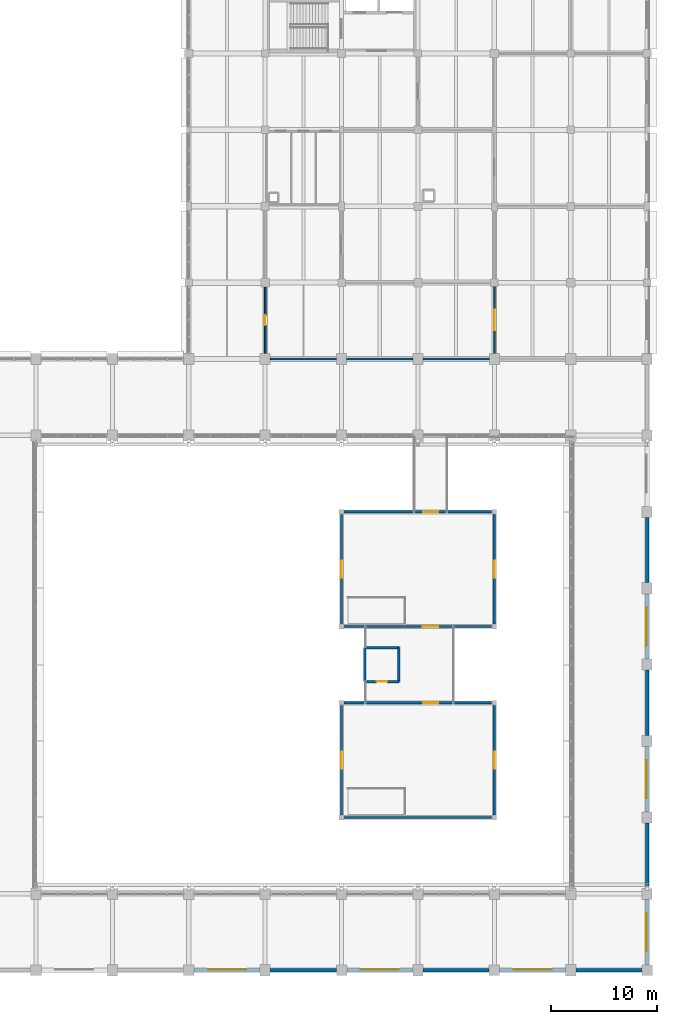
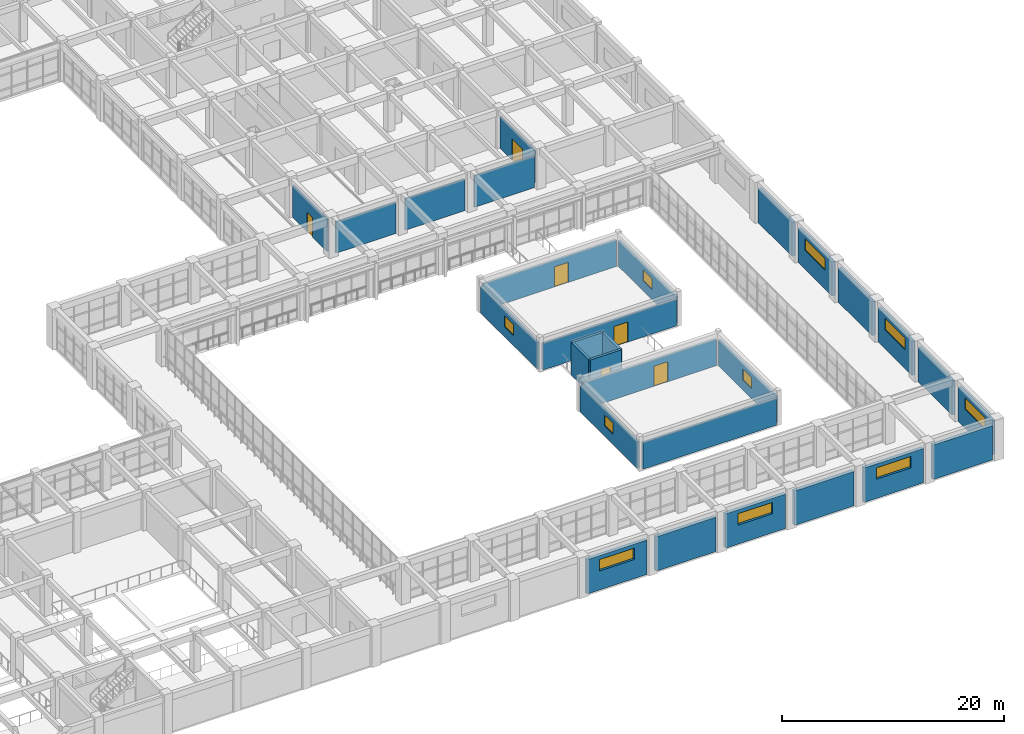
# One storey, part 159 of 171: 29 walls, 10 windows, 6 doors, 16 openings.
"""IFC4 building model written with IfcOpenShell, lengths in metres."""

from ifc_helpers import new_model, si_unit, direction, frame, frame_2d, origin, place, context, subcontext, project, spatial, rectangle, extrude, material, layer, layer_set, type_object, element, fill, save


model = new_model("IFC4")

# Units and contexts
model_context = context("Model", 3, precision=1e-05, world=origin(), true_north=direction((0.0, 1.0)))
body_context = subcontext(model_context, "Body", "Model", "MODEL_VIEW")
ifc_project = project(units=[si_unit("LENGTHUNIT", "METRE"), si_unit("AREAUNIT", "SQUARE_METRE"), si_unit("VOLUMEUNIT", "CUBIC_METRE"), si_unit("PLANEANGLEUNIT", "RADIAN"), si_unit("MASSUNIT", "GRAM", prefix="KILO")], contexts=[model_context])

# Site, building, storey
site_placement = place(None, origin())
site = spatial("IfcSite", under=ifc_project, at=site_placement, CompositionType="ELEMENT")
building_placement = place(site_placement, origin())
building = spatial("IfcBuilding", under=site, at=building_placement, Name="Thalmaran Polytechnic", CompositionType="ELEMENT")
storey_placement = place(building_placement, frame((0.0, 0.0, 5.39990234375)))
storey = spatial("IfcBuildingStorey", under=building, at=storey_placement, Name="L01", CompositionType="ELEMENT", Elevation=5.39990234375)

# Wall
ifc_material_1 = material(Name="Precast concrete C40/50", Category="concrete")
ifc_layer_1 = layer(ifc_material_1, 0.360107421875, Name="Precast concrete C40/50")
ifc_layer_set_1 = layer_set([ifc_layer_1], Name="Precast concrete C40/50")
wall_type_1 = type_object("IfcWallType", Name="WL-EW01", PredefinedType="STANDARD", material=ifc_layer_set_1)
wall_1_placement = place(storey_placement, frame((172.300048828125, 0.0, 0.0), z_axis=(0.0, 0.0, 1.0), x_axis=(-1.0, 0.0, 0.0)))
element("IfcWall", 1, at=wall_1_placement, inside=storey, type_object=wall_type_1, Name="Exterior Precast Facade Wall L01-069", PredefinedType="STANDARD", context=body_context, shape_type="SweptSolid", body=[
    extrude(rectangle(XDim=6.22509765625, YDim=0.360107421875, at=frame_2d((3.112548828125, 0.0))), origin(), (0.0, 0.0, 1.0), 3.780029296875),
])

# Wall, opening, window
wall_2_placement = place(storey_placement, frame((165.125, 0.0, 0.0), z_axis=(0.0, 0.0, 1.0), x_axis=(-1.0, 0.0, 0.0)))
wall_2 = element("IfcWall", 2, at=wall_2_placement, inside=storey, type_object=wall_type_1, Name="Exterior Precast Facade Wall L01-070", PredefinedType="STANDARD", context=body_context, shape_type="SweptSolid", body=[
    extrude(rectangle(XDim=6.22509765625, YDim=0.360107421875, at=frame_2d((3.112548828125, 0.0))), origin(), (0.0, 0.0, 1.0), 3.780029296875),
])
opening_1_placement = place(wall_2_placement, frame((1.3125, 0.0, 2.10009765625)))
opening_1 = element("IfcOpeningElement", 3, at=opening_1_placement, cuts=wall_2, Name="Opening CL03", PredefinedType="OPENING", context=body_context, shape_type="SweptSolid", body=[
    extrude(rectangle(XDim=3.60009765625, YDim=1.25, at=frame_2d((1.800048828125, 0.625))), frame((0.0, 0.18994140625, 0.0), z_axis=(0.0, -1.0, 0.0), x_axis=(1.0, 0.0, 0.0)), (0.0, 0.0, 1.0), 0.380126953125),
])
ifc_material_2 = material(Name="Thermally broken aluminium and double low-E glass", Category="aluminium")
window_type_1 = type_object("IfcWindowType", Name="WN-CL03", PartitioningType="DOUBLE_PANEL_VERTICAL", PredefinedType="WINDOW", material=ifc_material_2)
window_1_placement = place(opening_1_placement, origin())
window_1 = element("IfcWindow", 4, at=window_1_placement, inside=storey, type_object=window_type_1, Name="Workshop Gallery High Slot Window W-0137", OverallHeight=1.25, OverallWidth=3.60009765625, PartitioningType="SINGLE_PANEL", PredefinedType="WINDOW", context=body_context, shape_type="SweptSolid", body=[
    extrude(rectangle(XDim=3.60009765625, YDim=1.25, at=frame_2d((1.800048828125, 0.625))), frame((0.0, -0.050048828125, 0.0), z_axis=(0.0, -1.0, 0.0), x_axis=(1.0, 0.0, 0.0)), (0.0, 0.0, 1.0), 0.06005859375),
])
fill(opening_1, window_1)

# Wall
wall_3_placement = place(storey_placement, frame((157.89990234375, 0.0, 0.0), z_axis=(0.0, 0.0, 1.0), x_axis=(-1.0, 0.0, 0.0)))
element("IfcWall", 5, at=wall_3_placement, inside=storey, type_object=wall_type_1, Name="Exterior Precast Facade Wall L01-071", PredefinedType="STANDARD", context=body_context, shape_type="SweptSolid", body=[
    extrude(rectangle(XDim=6.224853515625, YDim=0.360107421875, at=frame_2d((3.1123046875, 0.0))), origin(), (0.0, 0.0, 1.0), 3.780029296875),
])

# Wall, opening, window
wall_4_placement = place(storey_placement, frame((150.72509765625, 0.0, 0.0), z_axis=(0.0, 0.0, 1.0), x_axis=(-1.0, 0.0, 0.0)))
wall_4 = element("IfcWall", 6, at=wall_4_placement, inside=storey, type_object=wall_type_1, Name="Exterior Precast Facade Wall L01-072", PredefinedType="STANDARD", context=body_context, shape_type="SweptSolid", body=[
    extrude(rectangle(XDim=6.22509765625, YDim=0.360107421875, at=frame_2d((3.112548828125, 0.0))), origin(), (0.0, 0.0, 1.0), 3.780029296875),
])
opening_2_placement = place(wall_4_placement, frame((1.3125, 0.0, 2.10009765625)))
opening_2 = element("IfcOpeningElement", 7, at=opening_2_placement, cuts=wall_4, Name="Opening CL03", PredefinedType="OPENING", context=body_context, shape_type="SweptSolid", body=[
    extrude(rectangle(XDim=3.60009765625, YDim=1.25, at=frame_2d((1.800048828125, 0.625))), frame((0.0, 0.18994140625, 0.0), z_axis=(0.0, -1.0, 0.0), x_axis=(1.0, 0.0, 0.0)), (0.0, 0.0, 1.0), 0.380126953125),
])
window_2_placement = place(opening_2_placement, origin())
window_2 = element("IfcWindow", 8, at=window_2_placement, inside=storey, type_object=window_type_1, Name="Workshop Gallery High Slot Window W-0138", OverallHeight=1.25, OverallWidth=3.60009765625, PartitioningType="SINGLE_PANEL", PredefinedType="WINDOW", context=body_context, shape_type="SweptSolid", body=[
    extrude(rectangle(XDim=3.60009765625, YDim=1.25, at=frame_2d((1.800048828125, 0.625))), frame((0.0, -0.050048828125, 0.0), z_axis=(0.0, -1.0, 0.0), x_axis=(1.0, 0.0, 0.0)), (0.0, 0.0, 1.0), 0.06005859375),
])
fill(opening_2, window_2)

# Wall
wall_5_placement = place(storey_placement, frame((143.5, 0.0, 0.0), z_axis=(0.0, 0.0, 1.0), x_axis=(-1.0, 0.0, 0.0)))
element("IfcWall", 9, at=wall_5_placement, inside=storey, type_object=wall_type_1, Name="Exterior Precast Facade Wall L01-073", PredefinedType="STANDARD", context=body_context, shape_type="SweptSolid", body=[
    extrude(rectangle(XDim=6.22509765625, YDim=0.360107421875, at=frame_2d((3.112548828125, 0.0))), origin(), (0.0, 0.0, 1.0), 3.780029296875),
])

# Wall, opening, window
wall_6_placement = place(storey_placement, frame((136.324951171875, 0.0, 0.0), z_axis=(0.0, 0.0, 1.0), x_axis=(-1.0, 0.0, 0.0)))
wall_6 = element("IfcWall", 10, at=wall_6_placement, inside=storey, type_object=wall_type_1, Name="Exterior Precast Facade Wall L01-074", PredefinedType="STANDARD", context=body_context, shape_type="SweptSolid", body=[
    extrude(rectangle(XDim=6.224853515625, YDim=0.360107421875, at=frame_2d((3.1123046875, 0.0))), origin(), (0.0, 0.0, 1.0), 3.780029296875),
])
opening_3_placement = place(wall_6_placement, frame((1.3125, 0.0, 2.10009765625)))
opening_3 = element("IfcOpeningElement", 11, at=opening_3_placement, cuts=wall_6, Name="Opening CL03", PredefinedType="OPENING", context=body_context, shape_type="SweptSolid", body=[
    extrude(rectangle(XDim=3.60009765625, YDim=1.25, at=frame_2d((1.800048828125, 0.625))), frame((0.0, 0.18994140625, 0.0), z_axis=(0.0, -1.0, 0.0), x_axis=(1.0, 0.0, 0.0)), (0.0, 0.0, 1.0), 0.380126953125),
])
window_3_placement = place(opening_3_placement, origin())
window_3 = element("IfcWindow", 12, at=window_3_placement, inside=storey, type_object=window_type_1, Name="Workshop Gallery High Slot Window W-0139", OverallHeight=1.25, OverallWidth=3.60009765625, PartitioningType="SINGLE_PANEL", PredefinedType="WINDOW", context=body_context, shape_type="SweptSolid", body=[
    extrude(rectangle(XDim=3.60009765625, YDim=1.25, at=frame_2d((1.800048828125, 0.625))), frame((0.0, -0.050048828125, 0.0), z_axis=(0.0, -1.0, 0.0), x_axis=(1.0, 0.0, 0.0)), (0.0, 0.0, 1.0), 0.06005859375),
])
fill(opening_3, window_3)

# Wall
ifc_layer_2 = layer(ifc_material_1, 0.330078125, Name="Precast concrete C40/50")
ifc_layer_set_2 = layer_set([ifc_layer_2], Name="Precast concrete C40/50")
wall_type_2 = type_object("IfcWallType", Name="WL-EW02", PredefinedType="STANDARD", material=ifc_layer_set_2)
wall_7_placement = place(storey_placement, frame((172.800048828125, 42.675048828125, 0.0), z_axis=(0.0, 0.0, 1.0), x_axis=(0.0, -1.0, 0.0)))
element("IfcWall", 13, at=wall_7_placement, inside=storey, type_object=wall_type_2, Name="Exterior Precast Facade Wall L01-063", PredefinedType="STANDARD", context=body_context, shape_type="SweptSolid", body=[
    extrude(rectangle(XDim=6.150146484375, YDim=0.330078125, at=frame_2d((3.0751953125, 0.0))), origin(), (0.0, 0.0, 1.0), 3.7451171875),
])

# Wall, opening, window
wall_8_placement = place(storey_placement, frame((172.800048828125, 35.47509765625, 0.0), z_axis=(0.0, 0.0, 1.0), x_axis=(0.0, -1.0, 0.0)))
wall_8 = element("IfcWall", 14, at=wall_8_placement, inside=storey, type_object=wall_type_2, Name="Exterior Precast Facade Wall L01-064", PredefinedType="STANDARD", context=body_context, shape_type="SweptSolid", body=[
    extrude(rectangle(XDim=6.150146484375, YDim=0.330078125, at=frame_2d((3.0751953125, 0.0))), origin(), (0.0, 0.0, 1.0), 3.7451171875),
])
opening_4_placement = place(wall_8_placement, frame((1.27490234375, 0.0, 2.10009765625)))
opening_4 = element("IfcOpeningElement", 15, at=opening_4_placement, cuts=wall_8, Name="Opening CL03", PredefinedType="OPENING", context=body_context, shape_type="SweptSolid", body=[
    extrude(rectangle(XDim=3.60009765625, YDim=1.25, at=frame_2d((1.800048828125, 0.625))), frame((0.0, 0.175048828125, 0.0), z_axis=(0.0, -1.0, 0.0), x_axis=(1.0, 0.0, 0.0)), (0.0, 0.0, 1.0), 0.35009765625),
])
window_4_placement = place(opening_4_placement, origin())
window_4 = element("IfcWindow", 16, at=window_4_placement, inside=storey, type_object=window_type_1, Name="Workshop Gallery High Slot Window W-0134", OverallHeight=1.25, OverallWidth=3.60009765625, PartitioningType="SINGLE_PANEL", PredefinedType="WINDOW", context=body_context, shape_type="SweptSolid", body=[
    extrude(rectangle(XDim=3.60009765625, YDim=1.25, at=frame_2d((1.800048828125, 0.625))), frame((0.0, -0.050048828125, 0.0), z_axis=(0.0, -1.0, 0.0), x_axis=(1.0, 0.0, 0.0)), (0.0, 0.0, 1.0), 0.06005859375),
])
fill(opening_4, window_4)

# Wall
wall_9_placement = place(storey_placement, frame((172.800048828125, 28.27490234375, 0.0), z_axis=(0.0, 0.0, 1.0), x_axis=(0.0, -1.0, 0.0)))
element("IfcWall", 17, at=wall_9_placement, inside=storey, type_object=wall_type_2, Name="Exterior Precast Facade Wall L01-065", PredefinedType="STANDARD", context=body_context, shape_type="SweptSolid", body=[
    extrude(rectangle(XDim=6.14990234375, YDim=0.330078125, at=frame_2d((3.074951171875, 0.0))), origin(), (0.0, 0.0, 1.0), 3.7451171875),
])

# Wall, opening, window
wall_10_placement = place(storey_placement, frame((172.800048828125, 21.074951171875, 0.0), z_axis=(0.0, 0.0, 1.0), x_axis=(0.0, -1.0, 0.0)))
wall_10 = element("IfcWall", 18, at=wall_10_placement, inside=storey, type_object=wall_type_2, Name="Exterior Precast Facade Wall L01-066", PredefinedType="STANDARD", context=body_context, shape_type="SweptSolid", body=[
    extrude(rectangle(XDim=6.14990234375, YDim=0.330078125, at=frame_2d((3.074951171875, 0.0))), origin(), (0.0, 0.0, 1.0), 3.7451171875),
])
opening_5_placement = place(wall_10_placement, frame((1.27490234375, 0.0, 2.10009765625)))
opening_5 = element("IfcOpeningElement", 19, at=opening_5_placement, cuts=wall_10, Name="Opening CL03", PredefinedType="OPENING", context=body_context, shape_type="SweptSolid", body=[
    extrude(rectangle(XDim=3.60009765625, YDim=1.25, at=frame_2d((1.800048828125, 0.625))), frame((0.0, 0.175048828125, 0.0), z_axis=(0.0, -1.0, 0.0), x_axis=(1.0, 0.0, 0.0)), (0.0, 0.0, 1.0), 0.35009765625),
])
window_5_placement = place(opening_5_placement, origin())
window_5 = element("IfcWindow", 20, at=window_5_placement, inside=storey, type_object=window_type_1, Name="Workshop Gallery High Slot Window W-0135", OverallHeight=1.25, OverallWidth=3.60009765625, PartitioningType="SINGLE_PANEL", PredefinedType="WINDOW", context=body_context, shape_type="SweptSolid", body=[
    extrude(rectangle(XDim=3.60009765625, YDim=1.25, at=frame_2d((1.800048828125, 0.625))), frame((0.0, -0.050048828125, 0.0), z_axis=(0.0, -1.0, 0.0), x_axis=(1.0, 0.0, 0.0)), (0.0, 0.0, 1.0), 0.06005859375),
])
fill(opening_5, window_5)

# Wall
wall_11_placement = place(storey_placement, frame((172.800048828125, 13.875, 0.0), z_axis=(0.0, 0.0, 1.0), x_axis=(0.0, -1.0, 0.0)))
element("IfcWall", 21, at=wall_11_placement, inside=storey, type_object=wall_type_2, Name="Exterior Precast Facade Wall L01-067", PredefinedType="STANDARD", context=body_context, shape_type="SweptSolid", body=[
    extrude(rectangle(XDim=6.14990234375, YDim=0.330078125, at=frame_2d((3.074951171875, 0.0))), origin(), (0.0, 0.0, 1.0), 3.7451171875),
])

# Wall, opening, window
wall_12_placement = place(storey_placement, frame((172.800048828125, 6.675048828125, 0.0), z_axis=(0.0, 0.0, 1.0), x_axis=(0.0, -1.0, 0.0)))
wall_12 = element("IfcWall", 22, at=wall_12_placement, inside=storey, type_object=wall_type_2, Name="Exterior Precast Facade Wall L01-068", PredefinedType="STANDARD", context=body_context, shape_type="SweptSolid", body=[
    extrude(rectangle(XDim=6.175048828125, YDim=0.330078125, at=frame_2d((3.08740234375, 0.0))), origin(), (0.0, 0.0, 1.0), 3.7451171875),
])
opening_6_placement = place(wall_12_placement, frame((1.28759765625, 0.0, 2.10009765625)))
opening_6 = element("IfcOpeningElement", 23, at=opening_6_placement, cuts=wall_12, Name="Opening CL03", PredefinedType="OPENING", context=body_context, shape_type="SweptSolid", body=[
    extrude(rectangle(XDim=3.60009765625, YDim=1.25, at=frame_2d((1.800048828125, 0.625))), frame((0.0, 0.175048828125, 0.0), z_axis=(0.0, -1.0, 0.0), x_axis=(1.0, 0.0, 0.0)), (0.0, 0.0, 1.0), 0.35009765625),
])
window_6_placement = place(opening_6_placement, origin())
window_6 = element("IfcWindow", 24, at=window_6_placement, inside=storey, type_object=window_type_1, Name="Workshop Gallery High Slot Window W-0136", OverallHeight=1.25, OverallWidth=3.60009765625, PartitioningType="SINGLE_PANEL", PredefinedType="WINDOW", context=body_context, shape_type="SweptSolid", body=[
    extrude(rectangle(XDim=3.60009765625, YDim=1.25, at=frame_2d((1.800048828125, 0.625))), frame((0.0, -0.050048828125, 0.0), z_axis=(0.0, -1.0, 0.0), x_axis=(1.0, 0.0, 0.0)), (0.0, 0.0, 1.0), 0.06005859375),
])
fill(opening_6, window_6)

# Wall
ifc_material_3 = material(Name="Autoclaved aerated masonry", Category="masonry")
ifc_layer_3 = layer(ifc_material_3, 0.2099609375, Name="Autoclaved aerated masonry")
ifc_layer_set_3 = layer_set([ifc_layer_3], Name="Autoclaved aerated masonry")
wall_type_3 = type_object("IfcWallType", Name="WL-IW03", PredefinedType="PARTITIONING", material=ifc_layer_set_3)
wall_13_placement = place(storey_placement, frame((144.25, 14.39990234375, 0.0), z_axis=(0.0, 0.0, 1.0), x_axis=(1.0, 0.0, 0.0)))
element("IfcWall", 25, at=wall_13_placement, inside=storey, type_object=wall_type_3, Name="POD2 Upper Enclosure Wall L01-S", PredefinedType="PARTITIONING", context=body_context, shape_type="SweptSolid", body=[
    extrude(rectangle(XDim=13.89990234375, YDim=0.2099609375, at=frame_2d((6.949951171875, 0.0))), origin(), (0.0, 0.0, 1.0), 2.922607421875),
])

# Wall, opening, window
wall_14_placement = place(storey_placement, frame((158.39990234375, 14.64990234375, 0.0), z_axis=(0.0, 0.0, 1.0), x_axis=(0.0, 1.0, 0.0)))
wall_14 = element("IfcWall", 26, at=wall_14_placement, inside=storey, type_object=wall_type_3, Name="POD2 Upper Enclosure Wall L01-E", PredefinedType="PARTITIONING", context=body_context, shape_type="SweptSolid", body=[
    extrude(rectangle(XDim=10.300048828125, YDim=0.2099609375, at=frame_2d((5.14990234375, 0.0))), origin(), (0.0, 0.0, 1.0), 2.922607421875),
])
opening_7_placement = place(wall_14_placement, frame((4.35009765625, 0.0, 1.10009765625)))
opening_7 = element("IfcOpeningElement", 27, at=opening_7_placement, cuts=wall_14, Name="Opening IW12", PredefinedType="OPENING", context=body_context, shape_type="SweptSolid", body=[
    extrude(rectangle(XDim=1.60009765625, YDim=1.199951171875, at=frame_2d((0.800048828125, 0.60009765625))), frame((0.0, 0.114990234375, 0.0), z_axis=(0.0, -1.0, 0.0), x_axis=(1.0, 0.0, 0.0)), (0.0, 0.0, 1.0), 0.22998046875),
])
window_type_2 = type_object("IfcWindowType", Name="WN-IW02", PartitioningType="SINGLE_PANEL", PredefinedType="WINDOW", material=ifc_material_2)
window_7_placement = place(opening_7_placement, origin())
window_7 = element("IfcWindow", 28, at=window_7_placement, inside=storey, type_object=window_type_2, Name="POD2 Upper Observation Window E", OverallHeight=1.199951171875, OverallWidth=1.60009765625, PartitioningType="SINGLE_PANEL", PredefinedType="WINDOW", context=body_context, shape_type="SweptSolid", body=[
    extrude(rectangle(XDim=1.60009765625, YDim=1.199951171875, at=frame_2d((0.800048828125, 0.60009765625))), frame((0.0, 0.030029296875, 0.0), z_axis=(0.0, -1.0, 0.0), x_axis=(1.0, 0.0, 0.0)), (0.0, 0.0, 1.0), 0.06005859375),
])
fill(opening_7, window_7)

# Wall, opening, door
wall_15_placement = place(storey_placement, frame((158.14990234375, 25.199951171875, 0.0), z_axis=(0.0, 0.0, 1.0), x_axis=(-1.0, 0.0, 0.0)))
wall_15 = element("IfcWall", 29, at=wall_15_placement, inside=storey, type_object=wall_type_3, Name="POD2 Upper Enclosure Wall L01-N", PredefinedType="PARTITIONING", context=body_context, shape_type="SweptSolid", body=[
    extrude(rectangle(XDim=13.89990234375, YDim=0.2099609375, at=frame_2d((6.949951171875, 0.0))), origin(), (0.0, 0.0, 1.0), 2.922607421875),
])
opening_8_placement = place(wall_15_placement, frame((5.02490234375, 0.0, 0.0)))
opening_8 = element("IfcOpeningElement", 30, at=opening_8_placement, cuts=wall_15, Name="Opening PD-POD2-L01-N", PredefinedType="OPENING", context=body_context, shape_type="SweptSolid", body=[
    extrude(rectangle(XDim=1.449951171875, YDim=2.199951171875, at=frame_2d((0.72509765625, 1.10009765625))), frame((0.0, 0.114990234375, 0.0), z_axis=(0.0, -1.0, 0.0), x_axis=(1.0, 0.0, 0.0)), (0.0, 0.0, 1.0), 0.22998046875),
])
ifc_material_4 = material(Name="Acoustic hardwood and vision glass", Category="wood")
door_type_1 = type_object("IfcDoorType", Name="DR-ID03", OperationType="NOTDEFINED", PredefinedType="DOOR", material=ifc_material_4)
door_1_placement = place(opening_8_placement, frame((1.449951171875, 0.0, 0.0), z_axis=(0.0, 0.0, 1.0), x_axis=(-1.0, 0.0, 0.0)))
door_1 = element("IfcDoor", 31, at=door_1_placement, inside=storey, type_object=door_type_1, Name="Turbomachinery Instrumentation Laboratory Bridge Door N", OperationType="SINGLE_SWING_RIGHT", OverallHeight=2.199951171875, OverallWidth=1.449951171875, PredefinedType="DOOR", context=body_context, shape_type="SweptSolid", body=[
    extrude(rectangle(XDim=1.449951171875, YDim=2.199951171875, at=frame_2d((0.72509765625, 1.10009765625))), frame((0.0, 0.02490234375, 0.0), z_axis=(0.0, -1.0, 0.0), x_axis=(1.0, 0.0, 0.0)), (0.0, 0.0, 1.0), 0.050048828125),
])
fill(opening_8, door_1)

# Wall, opening, window
wall_16_placement = place(storey_placement, frame((144.0, 24.949951171875, 0.0), z_axis=(0.0, 0.0, 1.0), x_axis=(0.0, -1.0, 0.0)))
wall_16 = element("IfcWall", 32, at=wall_16_placement, inside=storey, type_object=wall_type_3, Name="POD2 Upper Enclosure Wall L01-W", PredefinedType="PARTITIONING", context=body_context, shape_type="SweptSolid", body=[
    extrude(rectangle(XDim=10.300048828125, YDim=0.2099609375, at=frame_2d((5.14990234375, 0.0))), origin(), (0.0, 0.0, 1.0), 2.922607421875),
])
opening_9_placement = place(wall_16_placement, frame((4.35009765625, 0.0, 1.10009765625)))
opening_9 = element("IfcOpeningElement", 33, at=opening_9_placement, cuts=wall_16, Name="Opening IW12", PredefinedType="OPENING", context=body_context, shape_type="SweptSolid", body=[
    extrude(rectangle(XDim=1.60009765625, YDim=1.199951171875, at=frame_2d((0.800048828125, 0.60009765625))), frame((0.0, 0.114990234375, 0.0), z_axis=(0.0, -1.0, 0.0), x_axis=(1.0, 0.0, 0.0)), (0.0, 0.0, 1.0), 0.22998046875),
])
window_8_placement = place(opening_9_placement, origin())
window_8 = element("IfcWindow", 34, at=window_8_placement, inside=storey, type_object=window_type_2, Name="POD2 Upper Observation Window W", OverallHeight=1.199951171875, OverallWidth=1.60009765625, PartitioningType="SINGLE_PANEL", PredefinedType="WINDOW", context=body_context, shape_type="SweptSolid", body=[
    extrude(rectangle(XDim=1.60009765625, YDim=1.199951171875, at=frame_2d((0.800048828125, 0.60009765625))), frame((0.0, 0.030029296875, 0.0), z_axis=(0.0, -1.0, 0.0), x_axis=(1.0, 0.0, 0.0)), (0.0, 0.0, 1.0), 0.06005859375),
])
fill(opening_9, window_8)

# Wall, opening, door
wall_17_placement = place(storey_placement, frame((144.25, 32.39990234375, 0.0), z_axis=(0.0, 0.0, 1.0), x_axis=(1.0, 0.0, 0.0)))
wall_17 = element("IfcWall", 35, at=wall_17_placement, inside=storey, type_object=wall_type_3, Name="POD4 Upper Enclosure Wall L01-S", PredefinedType="PARTITIONING", context=body_context, shape_type="SweptSolid", body=[
    extrude(rectangle(XDim=13.89990234375, YDim=0.2099609375, at=frame_2d((6.949951171875, 0.0))), origin(), (0.0, 0.0, 1.0), 2.922607421875),
])
opening_10_placement = place(wall_17_placement, frame((7.425048828125, 0.0, 0.0)))
opening_10 = element("IfcOpeningElement", 36, at=opening_10_placement, cuts=wall_17, Name="Opening PD-POD4-L01-S", PredefinedType="OPENING", context=body_context, shape_type="SweptSolid", body=[
    extrude(rectangle(XDim=1.449951171875, YDim=2.199951171875, at=frame_2d((0.72509765625, 1.10009765625))), frame((0.0, 0.114990234375, 0.0), z_axis=(0.0, -1.0, 0.0), x_axis=(1.0, 0.0, 0.0)), (0.0, 0.0, 1.0), 0.22998046875),
])
door_2_placement = place(opening_10_placement, frame((1.449951171875, 0.0, 0.0), z_axis=(0.0, 0.0, 1.0), x_axis=(-1.0, 0.0, 0.0)))
door_2 = element("IfcDoor", 37, at=door_2_placement, inside=storey, type_object=door_type_1, Name="Autonomous Mechatronics Laboratory Bridge Door S", OperationType="SINGLE_SWING_LEFT", OverallHeight=2.199951171875, OverallWidth=1.449951171875, PredefinedType="DOOR", context=body_context, shape_type="SweptSolid", body=[
    extrude(rectangle(XDim=1.449951171875, YDim=2.199951171875, at=frame_2d((0.72509765625, 1.10009765625))), frame((0.0, 0.02490234375, 0.0), z_axis=(0.0, -1.0, 0.0), x_axis=(1.0, 0.0, 0.0)), (0.0, 0.0, 1.0), 0.050048828125),
])
fill(opening_10, door_2)

# Wall, opening, window
wall_18_placement = place(storey_placement, frame((158.39990234375, 32.64990234375, 0.0), z_axis=(0.0, 0.0, 1.0), x_axis=(0.0, 1.0, 0.0)))
wall_18 = element("IfcWall", 38, at=wall_18_placement, inside=storey, type_object=wall_type_3, Name="POD4 Upper Enclosure Wall L01-E", PredefinedType="PARTITIONING", context=body_context, shape_type="SweptSolid", body=[
    extrude(rectangle(XDim=10.300048828125, YDim=0.2099609375, at=frame_2d((5.14990234375, 0.0))), origin(), (0.0, 0.0, 1.0), 2.922607421875),
])
opening_11_placement = place(wall_18_placement, frame((4.35009765625, 0.0, 1.10009765625)))
opening_11 = element("IfcOpeningElement", 39, at=opening_11_placement, cuts=wall_18, Name="Opening IW12", PredefinedType="OPENING", context=body_context, shape_type="SweptSolid", body=[
    extrude(rectangle(XDim=1.60009765625, YDim=1.199951171875, at=frame_2d((0.800048828125, 0.60009765625))), frame((0.0, 0.114990234375, 0.0), z_axis=(0.0, -1.0, 0.0), x_axis=(1.0, 0.0, 0.0)), (0.0, 0.0, 1.0), 0.22998046875),
])
window_9_placement = place(opening_11_placement, origin())
window_9 = element("IfcWindow", 40, at=window_9_placement, inside=storey, type_object=window_type_2, Name="POD4 Upper Observation Window E", OverallHeight=1.199951171875, OverallWidth=1.60009765625, PartitioningType="SINGLE_PANEL", PredefinedType="WINDOW", context=body_context, shape_type="SweptSolid", body=[
    extrude(rectangle(XDim=1.60009765625, YDim=1.199951171875, at=frame_2d((0.800048828125, 0.60009765625))), frame((0.0, 0.030029296875, 0.0), z_axis=(0.0, -1.0, 0.0), x_axis=(1.0, 0.0, 0.0)), (0.0, 0.0, 1.0), 0.06005859375),
])
fill(opening_11, window_9)

# Wall, opening, door
wall_19_placement = place(storey_placement, frame((158.14990234375, 43.199951171875, 0.0), z_axis=(0.0, 0.0, 1.0), x_axis=(-1.0, 0.0, 0.0)))
wall_19 = element("IfcWall", 41, at=wall_19_placement, inside=storey, type_object=wall_type_3, Name="POD4 Upper Enclosure Wall L01-N", PredefinedType="PARTITIONING", context=body_context, shape_type="SweptSolid", body=[
    extrude(rectangle(XDim=13.89990234375, YDim=0.2099609375, at=frame_2d((6.949951171875, 0.0))), origin(), (0.0, 0.0, 1.0), 2.922607421875),
])
opening_12_placement = place(wall_19_placement, frame((5.02490234375, 0.0, 0.0)))
opening_12 = element("IfcOpeningElement", 42, at=opening_12_placement, cuts=wall_19, Name="Opening PD-POD4-L01-N", PredefinedType="OPENING", context=body_context, shape_type="SweptSolid", body=[
    extrude(rectangle(XDim=1.449951171875, YDim=2.199951171875, at=frame_2d((0.72509765625, 1.10009765625))), frame((0.0, 0.114990234375, 0.0), z_axis=(0.0, -1.0, 0.0), x_axis=(1.0, 0.0, 0.0)), (0.0, 0.0, 1.0), 0.22998046875),
])
door_3_placement = place(opening_12_placement, frame((1.449951171875, 0.0, 0.0), z_axis=(0.0, 0.0, 1.0), x_axis=(-1.0, 0.0, 0.0)))
door_3 = element("IfcDoor", 43, at=door_3_placement, inside=storey, type_object=door_type_1, Name="Autonomous Mechatronics Laboratory Bridge Door N", OperationType="SINGLE_SWING_RIGHT", OverallHeight=2.199951171875, OverallWidth=1.449951171875, PredefinedType="DOOR", context=body_context, shape_type="SweptSolid", body=[
    extrude(rectangle(XDim=1.449951171875, YDim=2.199951171875, at=frame_2d((0.72509765625, 1.10009765625))), frame((0.0, 0.02490234375, 0.0), z_axis=(0.0, -1.0, 0.0), x_axis=(1.0, 0.0, 0.0)), (0.0, 0.0, 1.0), 0.050048828125),
])
fill(opening_12, door_3)

# Wall, opening, window
wall_20_placement = place(storey_placement, frame((144.0, 42.949951171875, 0.0), z_axis=(0.0, 0.0, 1.0), x_axis=(0.0, -1.0, 0.0)))
wall_20 = element("IfcWall", 44, at=wall_20_placement, inside=storey, type_object=wall_type_3, Name="POD4 Upper Enclosure Wall L01-W", PredefinedType="PARTITIONING", context=body_context, shape_type="SweptSolid", body=[
    extrude(rectangle(XDim=10.300048828125, YDim=0.2099609375, at=frame_2d((5.14990234375, 0.0))), origin(), (0.0, 0.0, 1.0), 2.922607421875),
])
opening_13_placement = place(wall_20_placement, frame((4.35009765625, 0.0, 1.10009765625)))
opening_13 = element("IfcOpeningElement", 45, at=opening_13_placement, cuts=wall_20, Name="Opening IW12", PredefinedType="OPENING", context=body_context, shape_type="SweptSolid", body=[
    extrude(rectangle(XDim=1.60009765625, YDim=1.199951171875, at=frame_2d((0.800048828125, 0.60009765625))), frame((0.0, 0.114990234375, 0.0), z_axis=(0.0, -1.0, 0.0), x_axis=(1.0, 0.0, 0.0)), (0.0, 0.0, 1.0), 0.22998046875),
])
window_10_placement = place(opening_13_placement, origin())
window_10 = element("IfcWindow", 46, at=window_10_placement, inside=storey, type_object=window_type_2, Name="POD4 Upper Observation Window W", OverallHeight=1.199951171875, OverallWidth=1.60009765625, PartitioningType="SINGLE_PANEL", PredefinedType="WINDOW", context=body_context, shape_type="SweptSolid", body=[
    extrude(rectangle(XDim=1.60009765625, YDim=1.199951171875, at=frame_2d((0.800048828125, 0.60009765625))), frame((0.0, 0.030029296875, 0.0), z_axis=(0.0, -1.0, 0.0), x_axis=(1.0, 0.0, 0.0)), (0.0, 0.0, 1.0), 0.06005859375),
])
fill(opening_13, window_10)

# Wall, opening, door
ifc_material_5 = material(Name="Gypsum acoustic partition")
ifc_layer_4 = layer(ifc_material_5, 0.159912109375, Name="Gypsum acoustic partition")
ifc_layer_set_4 = layer_set([ifc_layer_4], Name="Gypsum acoustic partition")
wall_type_4 = type_object("IfcWallType", Name="WL-IW05", PredefinedType="PARTITIONING", material=ifc_layer_set_4)
wall_21_placement = place(storey_placement, frame((136.800048828125, 58.1298828125, 0.0), z_axis=(0.0, 0.0, 1.0), x_axis=(0.0, 1.0, 0.0)))
wall_21 = element("IfcWall", 47, at=wall_21_placement, inside=storey, type_object=wall_type_4, Name="Interior Partition IW05 L01-127", PredefinedType="PARTITIONING", context=body_context, shape_type="SweptSolid", body=[
    extrude(rectangle(XDim=6.275146484375, YDim=0.159912109375, at=frame_2d((3.1376953125, 0.0))), origin(), (0.0, 0.0, 1.0), 3.525146484375),
])
opening_14_placement = place(wall_21_placement, frame((2.66259765625, 0.0, 0.0)))
opening_14 = element("IfcOpeningElement", 48, at=opening_14_placement, cuts=wall_21, Name="Opening D-L01-044-5-01-1", PredefinedType="OPENING", context=body_context, shape_type="SweptSolid", body=[
    extrude(rectangle(XDim=0.949951171875, YDim=2.14990234375, at=frame_2d((0.47509765625, 1.074951171875))), frame((0.0, 0.08984375, 0.0), z_axis=(0.0, -1.0, 0.0), x_axis=(1.0, 0.0, 0.0)), (0.0, 0.0, 1.0), 0.179931640625),
])
ifc_material_6 = material(Name="Powder-coated fire-rated steel", Category="steel")
door_type_2 = type_object("IfcDoorType", Name="DR-FD08", OperationType="NOTDEFINED", PredefinedType="DOOR", material=ifc_material_6)
door_4_placement = place(opening_14_placement, origin())
door_4 = element("IfcDoor", 49, at=door_4_placement, inside=storey, type_object=door_type_2, Name="Photonics and Electronics Laboratory L01-01 Door 1", OperationType="SINGLE_SWING_LEFT", OverallHeight=2.14990234375, OverallWidth=0.949951171875, PredefinedType="DOOR", context=body_context, shape_type="SweptSolid", body=[
    extrude(rectangle(XDim=0.949951171875, YDim=2.14990234375, at=frame_2d((0.47509765625, 1.074951171875))), frame((0.0, 0.02490234375, 0.0), z_axis=(0.0, -1.0, 0.0), x_axis=(1.0, 0.0, 0.0)), (0.0, 0.0, 1.0), 0.050048828125),
])
fill(opening_14, door_4)

# Walls
wall_22_placement = place(storey_placement, frame((137.280029296875, 57.60009765625, 0.0), z_axis=(0.0, 0.0, 1.0), x_axis=(1.0, 0.0, 0.0)))
element("IfcWall", 50, at=wall_22_placement, inside=storey, type_object=wall_type_4, Name="Interior Partition IW05 L01-133", PredefinedType="PARTITIONING", context=body_context, shape_type="SweptSolid", body=[
    extrude(rectangle(XDim=6.239990234375, YDim=0.159912109375, at=frame_2d((3.1201171875, 0.0))), origin(), (0.0, 0.0, 1.0), 3.43017578125),
])
wall_23_placement = place(storey_placement, frame((144.47998046875, 57.60009765625, 0.0), z_axis=(0.0, 0.0, 1.0), x_axis=(1.0, 0.0, 0.0)))
element("IfcWall", 51, at=wall_23_placement, inside=storey, type_object=wall_type_4, Name="Interior Partition IW05 L01-136", PredefinedType="PARTITIONING", context=body_context, shape_type="SweptSolid", body=[
    extrude(rectangle(XDim=6.239990234375, YDim=0.159912109375, at=frame_2d((3.1201171875, 0.0))), origin(), (0.0, 0.0, 1.0), 3.460205078125),
])
wall_24_placement = place(storey_placement, frame((151.679931640625, 57.60009765625, 0.0), z_axis=(0.0, 0.0, 1.0), x_axis=(1.0, 0.0, 0.0)))
element("IfcWall", 52, at=wall_24_placement, inside=storey, type_object=wall_type_4, Name="Interior Partition IW05 L01-145", PredefinedType="PARTITIONING", context=body_context, shape_type="SweptSolid", body=[
    extrude(rectangle(XDim=6.239990234375, YDim=0.159912109375, at=frame_2d((3.1201171875, 0.0))), origin(), (0.0, 0.0, 1.0), 3.47021484375),
])

# Wall, opening, door
ifc_layer_5 = layer(ifc_material_5, 0.1298828125, Name="Gypsum acoustic partition")
ifc_layer_set_5 = layer_set([ifc_layer_5], Name="Gypsum acoustic partition")
wall_type_5 = type_object("IfcWallType", Name="WL-IW07", PredefinedType="PARTITIONING", material=ifc_layer_set_5)
wall_25_placement = place(storey_placement, frame((158.39990234375, 58.1298828125, 0.0), z_axis=(0.0, 0.0, 1.0), x_axis=(0.0, 1.0, 0.0)))
wall_25 = element("IfcWall", 53, at=wall_25_placement, inside=storey, type_object=wall_type_5, Name="Interior Partition IW07 L01-146", PredefinedType="PARTITIONING", context=body_context, shape_type="SweptSolid", body=[
    extrude(rectangle(XDim=6.315185546875, YDim=0.1298828125, at=frame_2d((3.15771484375, 0.0))), origin(), (0.0, 0.0, 1.0), 3.525146484375),
])
opening_15_placement = place(wall_25_placement, frame((2.197509765625, 0.0, 0.0)))
opening_15 = element("IfcOpeningElement", 54, at=opening_15_placement, cuts=wall_25, Name="Opening D-L01-045-5-02-1", PredefinedType="OPENING", context=body_context, shape_type="SweptSolid", body=[
    extrude(rectangle(XDim=1.919921875, YDim=2.35009765625, at=frame_2d((0.9599609375, 1.175048828125))), frame((0.0, 0.074951171875, 0.0), z_axis=(0.0, -1.0, 0.0), x_axis=(1.0, 0.0, 0.0)), (0.0, 0.0, 1.0), 0.14990234375),
])
door_type_3 = type_object("IfcDoorType", Name="DR-ZD01", OperationType="NOTDEFINED", PredefinedType="DOOR", material=ifc_material_4)
door_5_placement = place(opening_15_placement, origin())
door_5 = element("IfcDoor", 55, at=door_5_placement, inside=storey, type_object=door_type_3, Name="Product Design Studio L01-02 Door 1", OperationType="SINGLE_SWING_RIGHT", OverallHeight=2.35009765625, OverallWidth=1.919921875, PredefinedType="DOOR", context=body_context, shape_type="SweptSolid", body=[
    extrude(rectangle(XDim=1.919921875, YDim=2.35009765625, at=frame_2d((0.9599609375, 1.175048828125))), frame((0.0, 0.02490234375, 0.0), z_axis=(0.0, -1.0, 0.0), x_axis=(1.0, 0.0, 0.0)), (0.0, 0.0, 1.0), 0.050048828125),
])
fill(opening_15, door_5)

ifc_material_7 = material(Name="Concrete C50/60", Category="concrete")
ifc_layer_6 = layer(ifc_material_7, 0.300048828125, Name="Concrete C50/60")
ifc_layer_set_6 = layer_set([ifc_layer_6], Name="Concrete C50/60")
wall_type_6 = type_object("IfcWallType", Name="WL-SW04", PredefinedType="SHEAR", material=ifc_layer_set_6)
wall_26_placement = place(storey_placement, frame((146.199951171875, 27.199951171875, 0.0), z_axis=(0.0, 0.0, 1.0), x_axis=(1.0, 0.0, 0.0)))
wall_26 = element("IfcWall", 56, at=wall_26_placement, inside=storey, type_object=wall_type_6, Name="Pod Lift Shaft Wall L01-S", PredefinedType="SHEAR", context=body_context, shape_type="SweptSolid", body=[
    extrude(rectangle(XDim=3.199951171875, YDim=0.25, at=frame_2d((1.60009765625, 0.0))), origin(), (0.0, 0.0, 1.0), 3.60009765625),
])
opening_16_placement = place(wall_26_placement, frame((1.10009765625, 0.0, 0.0)))
opening_16 = element("IfcOpeningElement", 57, at=opening_16_placement, cuts=wall_26, Name="Opening LD-LPOD1-L01", PredefinedType="OPENING", context=body_context, shape_type="SweptSolid", body=[
    extrude(rectangle(XDim=1.0, YDim=2.14990234375, at=frame_2d((0.5, 1.074951171875))), frame((0.0, 0.135009765625, 0.0), z_axis=(0.0, -1.0, 0.0), x_axis=(1.0, 0.0, 0.0)), (0.0, 0.0, 1.0), 0.27001953125),
])
ifc_material_8 = material(Name="Brushed stainless steel lift door", Category="steel")
door_type_4 = type_object("IfcDoorType", Name="DR-LD02", OperationType="NOTDEFINED", PredefinedType="DOOR", material=ifc_material_8)
door_6_placement = place(opening_16_placement, origin())
door_6 = element("IfcDoor", 58, at=door_6_placement, inside=storey, type_object=door_type_4, Name="Lift Landing Door L-POD1 L01", OperationType="SLIDING_TO_LEFT", OverallHeight=2.14990234375, OverallWidth=1.0, PredefinedType="DOOR", context=body_context, shape_type="SweptSolid", body=[
    extrude(rectangle(XDim=1.0, YDim=2.14990234375, at=frame_2d((0.5, 1.074951171875))), frame((0.0, 0.02490234375, 0.0), z_axis=(0.0, -1.0, 0.0), x_axis=(1.0, 0.0, 0.0)), (0.0, 0.0, 1.0), 0.050048828125),
])
fill(opening_16, door_6)

# Walls
for number, where, z_axis, x_axis, name in (
    (59, (149.39990234375, 27.199951171875, 0.0), (0.0, 0.0, 1.0), (0.0, 1.0, 0.0), "Pod Lift Shaft Wall L01-E"),
    (60, (149.39990234375, 30.39990234375, 0.0), (0.0, 0.0, 1.0), (-1.0, 0.0, 0.0), "Pod Lift Shaft Wall L01-N"),
    (61, (146.199951171875, 30.39990234375, 0.0), (0.0, 0.0, 1.0), (0.0, -1.0, 0.0), "Pod Lift Shaft Wall L01-W"),
):
    element("IfcWall", number, at=place(storey_placement, frame(where, z_axis=z_axis, x_axis=x_axis)), inside=storey, type_object=wall_type_6, Name=name, PredefinedType="SHEAR", context=body_context, shape_type="SweptSolid", body=[
        extrude(rectangle(XDim=3.199951171875, YDim=0.25, at=frame_2d((1.60009765625, 0.0))), origin(), (0.0, 0.0, 1.0), 3.60009765625),
    ])

save(model, "model.ifc")
